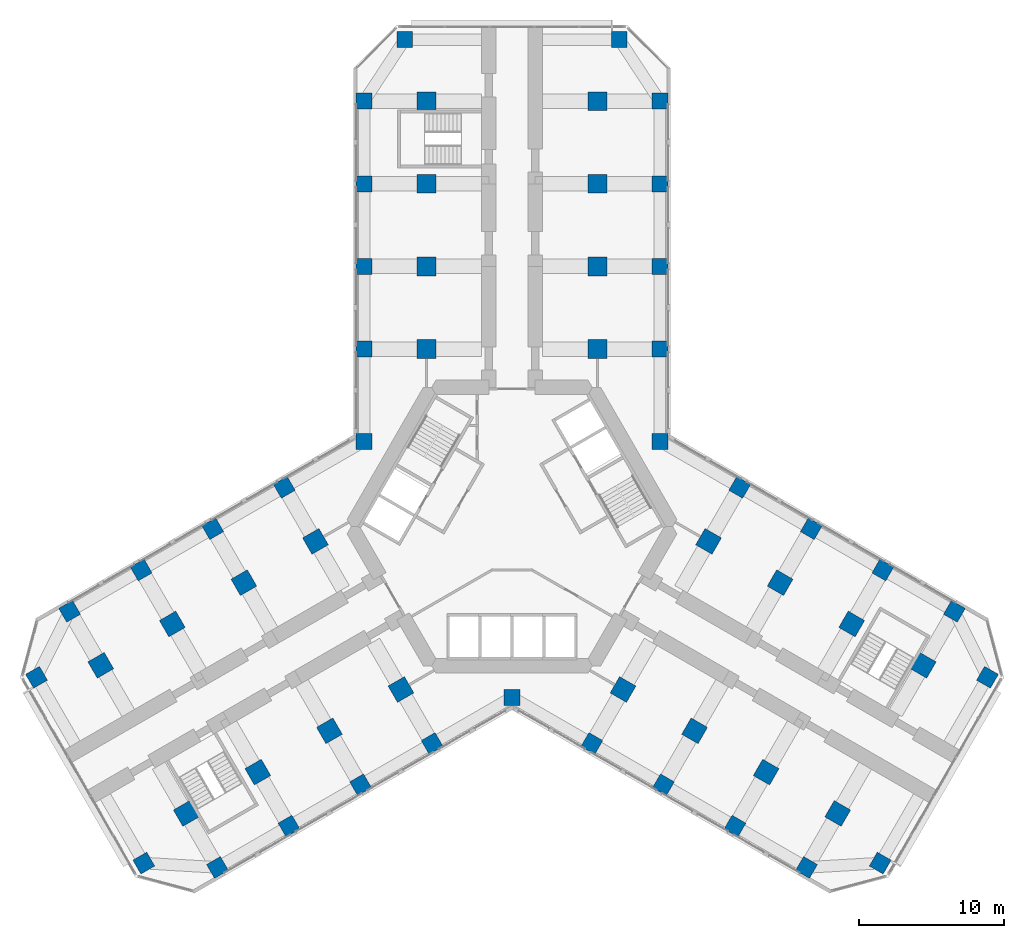
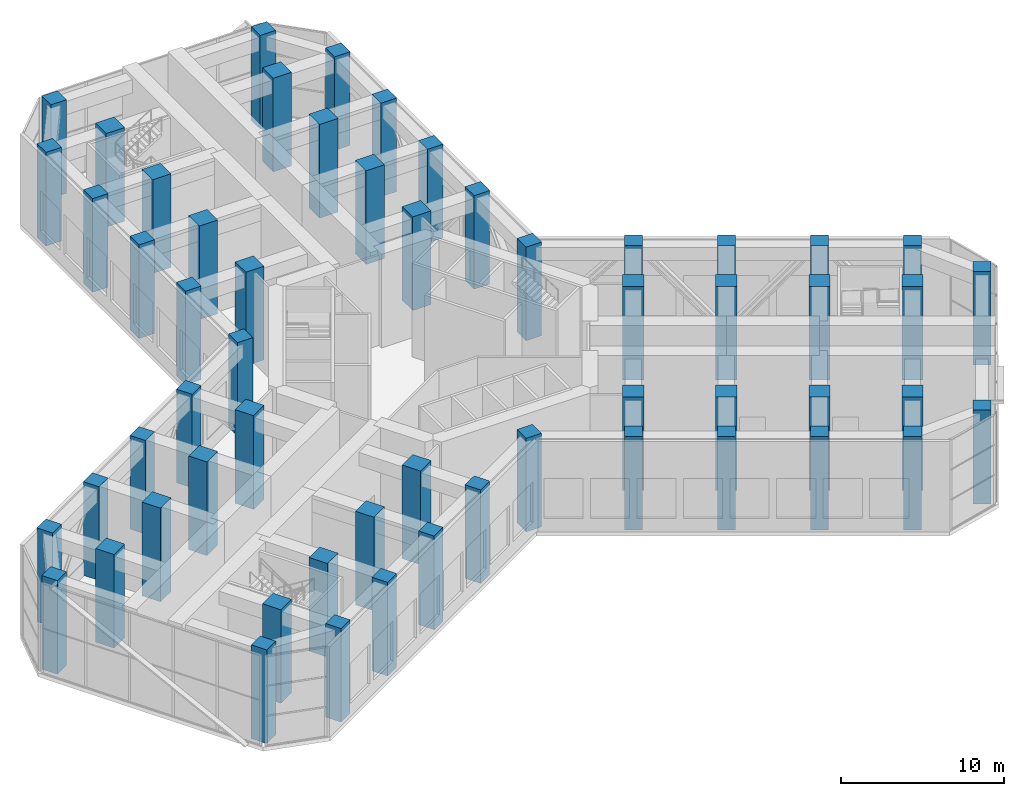
# One storey, part 1 of 17: 57 columns.
"""IFC4 building model written with IfcOpenShell, lengths in metres."""

import ifcopenshell
import ifcopenshell.guid

model = None  # the IFC model being written
_history = None  # IfcOwnerHistory: only IFC2X3 demands one
_inside = {}  # id of a spatial element -> (the spatial element, [elements in it])
_under = {}  # id of a project, library or spatial element -> (it, [spatial elements below it])
_declared = {}  # id of a project -> (the project, [libraries it declares])
_typed = {}  # id of a type object -> (the type object, [elements of that type])
_made_of = {}  # id of a material, layer set ... -> (it, [elements and type objects made of it])


def new_model(schema):
    """Start an empty IFC model of exactly this schema.

    Asked for "IFC4X3", IfcOpenShell would pick the latest addendum, in which some entities
    have other attributes; the version numbers below select the first issue.
    IFC2X3 requires an IfcOwnerHistory on every rooted entity: one is made here for all.
    """
    global model, _history
    if schema == "IFC4X3":
        model = ifcopenshell.file(schema_version=(4, 3, 0, 0))
    else:
        model = ifcopenshell.file(schema=schema)
    _inside.clear()
    _under.clear()
    _declared.clear()
    _typed.clear()
    _made_of.clear()
    _history = None
    if model.schema == "IFC2X3":
        org = make("IfcOrganization", Name="unknown")
        user = make(
            "IfcPersonAndOrganization",
            ThePerson=make("IfcPerson", FamilyName="unknown"),
            TheOrganization=org,
        )
        app = make(
            "IfcApplication",
            ApplicationDeveloper=org,
            Version="unknown",
            ApplicationFullName="unknown",
            ApplicationIdentifier="unknown",
        )
        _history = make(
            "IfcOwnerHistory",
            OwningUser=user,
            OwningApplication=app,
            ChangeAction="ADDED",
            CreationDate=0,
        )
    return model


def make(cls, **values):
    """One entity of the class cls with the attributes given. An attribute that is None is left unset."""
    return model.create_entity(
        cls, **{name: value for name, value in values.items() if value is not None}
    )


def rooted(cls, **values):
    """An entity with a GlobalId (a new one), such as an element, a storey or a relation."""
    return make(cls, GlobalId=ifcopenshell.guid.new(), OwnerHistory=_history, **values)


def si_unit(unit_type, name, prefix=None):
    """IfcSIUnit, for example si_unit("LENGTHUNIT", "METRE", prefix="MILLI")."""
    return make("IfcSIUnit", UnitType=unit_type, Prefix=prefix, Name=name)


def assignment(units):
    """IfcUnitAssignment: the units of a project."""
    return None if units is None else make("IfcUnitAssignment", Units=units)


def point(xyz):
    """IfcCartesianPoint."""
    return None if xyz is None else make("IfcCartesianPoint", Coordinates=xyz)


def direction(xyz):
    """IfcDirection."""
    return None if xyz is None else make("IfcDirection", DirectionRatios=xyz)


def frame(location, z_axis=None, x_axis=None):
    """IfcAxis2Placement3D, a coordinate frame: its origin and axes. An axis left out is left unset."""
    return make(
        "IfcAxis2Placement3D",
        Location=point(location),
        Axis=direction(z_axis),
        RefDirection=direction(x_axis),
    )


def frame_2d(location, x_axis=None):
    """IfcAxis2Placement2D, a coordinate frame in the plane: its origin and x axis."""
    return make(
        "IfcAxis2Placement2D", Location=point(location), RefDirection=direction(x_axis)
    )


def origin():
    """The frame at (0, 0, 0) with its axes left unset."""
    return frame((0.0, 0.0, 0.0))


def origin_2d():
    """The frame at (0, 0) in the plane with its x axis left unset."""
    return frame_2d((0.0, 0.0))


def place(relative_to, where):
    """IfcLocalPlacement: puts the frame where relative to a parent placement (None: the world)."""
    return make(
        "IfcLocalPlacement", PlacementRelTo=relative_to, RelativePlacement=where
    )


def context(
    kind, dimensions, precision=None, world=None, true_north=None, identifier=None
):
    """IfcGeometricRepresentationContext, for example the 3D "Model" context."""
    return make(
        "IfcGeometricRepresentationContext",
        ContextIdentifier=identifier,
        ContextType=kind,
        CoordinateSpaceDimension=dimensions,
        Precision=precision,
        WorldCoordinateSystem=world,
        TrueNorth=true_north,
    )


def subcontext(parent, identifier, kind, view, scale=None):
    """IfcGeometricRepresentationSubContext, for example "Body" below "Model"."""
    return make(
        "IfcGeometricRepresentationSubContext",
        ContextIdentifier=identifier,
        ContextType=kind,
        ParentContext=parent,
        TargetScale=scale,
        TargetView=view,
    )


def project(units=None, contexts=None):
    """IfcProject with its units and contexts."""
    return rooted(
        "IfcProject",
        Name="project",
        RepresentationContexts=contexts,
        UnitsInContext=assignment(units),
    )


def spatial(cls, under=None, at=None, **own):
    """A site, building, storey or space (cls), placed at a placement, below another one or the project."""
    s = rooted(cls, ObjectPlacement=at, **own)
    if under is not None:
        _under.setdefault(under.id(), (under, []))[1].append(s)
    return s


def profile(cls, at=None, kind="AREA", **sizes):
    """A parametric profile (cls). Its sizes go by their IFC names, for example OverallWidth=200.0."""
    return make(cls, ProfileType=kind, Position=at, **sizes)


def rectangle(**sizes):
    """IfcRectangleProfileDef."""
    return profile("IfcRectangleProfileDef", **sizes)


def extrude(swept, where, along, depth):
    """IfcExtrudedAreaSolid: the profile swept, set in the frame where, extruded along a direction by depth."""
    return make(
        "IfcExtrudedAreaSolid",
        SweptArea=swept,
        Position=where,
        ExtrudedDirection=direction(along),
        Depth=depth,
    )


def shape(context_of_items, identifier, shape_type, items):
    """IfcShapeRepresentation: the items that make up one representation, for example the "Body"."""
    return make(
        "IfcShapeRepresentation",
        ContextOfItems=context_of_items,
        RepresentationIdentifier=identifier,
        RepresentationType=shape_type,
        Items=items,
    )


def material(Name=None, Category=None):
    """IfcMaterial."""
    return make("IfcMaterial", Name=Name, Category=Category)


def material_profile(
    of_material, cross_section, Name=None, Category=None, Priority=None
):
    """IfcMaterialProfile: a cross section and its material."""
    return make(
        "IfcMaterialProfile",
        Name=Name,
        Material=of_material,
        Profile=cross_section,
        Priority=Priority,
        Category=Category,
    )


def profile_set(profiles, Name=None, composite=None):
    """IfcMaterialProfileSet."""
    return make(
        "IfcMaterialProfileSet",
        Name=Name,
        MaterialProfiles=profiles,
        CompositeProfile=composite,
    )


def made_of(thing, what):
    """Note that an element or type object is made of a material, layer set ...; save() writes the relation."""
    if what is not None:
        _made_of.setdefault(what.id(), (what, []))[1].append(thing)
    return thing


def type_object(cls, material=None, **own):
    """A type object (cls), such as IfcWallType, which elements share."""
    return made_of(rooted(cls, **own), material)


def element(
    cls,
    number,
    at=None,
    inside=None,
    cuts=None,
    type_object=None,
    material=None,
    context=None,
    identifier="Body",
    shape_type=None,
    held_by="IfcProductDefinitionShape",
    body=None,
    shapes=None,
    **own,
):
    """One element of the class cls, such as IfcWall. Its Tag is "e" and its number.

    at: its placement. inside: the storey or other place that contains it. cuts: it is an
    opening in that element (IfcRelVoidsElement). A single representation is given by context,
    identifier, shape_type and body (its items); several are given by shapes. held_by: the class
    of the entity that holds the representations. save() writes the other relations.
    """
    e = rooted(cls, Tag="e%d" % number, ObjectPlacement=at, **own)
    if body is not None:
        shapes = [shape(context, identifier, shape_type, body)]
    if shapes is not None:
        e.Representation = make(held_by, Representations=shapes)
    if inside is not None:
        _inside.setdefault(inside.id(), (inside, []))[1].append(e)
    if cuts is not None:
        rooted(
            "IfcRelVoidsElement", RelatingBuildingElement=cuts, RelatedOpeningElement=e
        )
    if type_object is not None:
        _typed.setdefault(type_object.id(), (type_object, []))[1].append(e)
    return made_of(e, material)


def aggregate(whole, parts):
    """IfcRelAggregates: a whole, such as a stair, and the parts it consists of."""
    return rooted("IfcRelAggregates", RelatingObject=whole, RelatedObjects=parts)


def save(model, path):
    """Write the relations noted so far, then the file.

    IfcRelAggregates (storeys below a building ...), IfcRelContainedInSpatialStructure (elements
    in a storey), IfcRelDefinesByType, IfcRelAssociatesMaterial and IfcRelDeclares: one each for
    every whole, place, type object, material and project.
    """
    for whole, parts in _under.values():
        aggregate(whole, parts)
    for where, things in _inside.values():
        rooted(
            "IfcRelContainedInSpatialStructure",
            RelatedElements=things,
            RelatingStructure=where,
        )
    for kind, things in _typed.values():
        rooted("IfcRelDefinesByType", RelatedObjects=things, RelatingType=kind)
    for what, things in _made_of.values():
        rooted("IfcRelAssociatesMaterial", RelatedObjects=things, RelatingMaterial=what)
    for by, libraries in _declared.values():
        rooted("IfcRelDeclares", RelatingContext=by, RelatedDefinitions=libraries)
    model.write(path)


model = new_model("IFC4")

# Units and contexts
model_context = context("Model", 3, precision=1e-05, world=origin(), true_north=direction((0.0, 1.0)))
body_context = subcontext(model_context, "Body", "Model", "MODEL_VIEW")
ifc_project = project(units=[si_unit("LENGTHUNIT", "METRE"), si_unit("AREAUNIT", "SQUARE_METRE"), si_unit("VOLUMEUNIT", "CUBIC_METRE"), si_unit("PLANEANGLEUNIT", "RADIAN"), si_unit("MASSUNIT", "GRAM", prefix="KILO")], contexts=[model_context])

# Site, building, storey
site_placement = place(None, origin())
site = spatial("IfcSite", under=ifc_project, at=site_placement, CompositionType="ELEMENT")
building_placement = place(site_placement, origin())
building = spatial("IfcBuilding", under=site, at=building_placement, Name="Kosmar Iwan School Tower", CompositionType="ELEMENT")
storey_placement = place(building_placement, frame((0.0, 0.0, 32.39990234375)))
storey = spatial("IfcBuildingStorey", under=building, at=storey_placement, Name="L07", CompositionType="ELEMENT", Elevation=32.39990234375)

# Columns
ifc_material_1 = material(Name="Concrete C50/60", Category="concrete")
ifc_material_profile_1 = material_profile(ifc_material_1, rectangle(XDim=1.10009765625, YDim=1.10009765625, at=origin_2d()), Name="RC 1100x1100 + HD 400x744")
ifc_profile_set_1 = profile_set([ifc_material_profile_1], Name="Concrete C50/60")
column_type_1 = type_object("IfcColumnType", Name="Composite column 1100x1100 HD 400x744", PredefinedType="COLUMN", material=ifc_profile_set_1)
for number, where, z_axis, x_axis, name in (
    (1, (-10.199951171875, 12.25, 0.0), (0.0, 0.0, 1.0), (0.0, 1.0, 0.0), "Column AL1 L07"),
    (2, (-10.199951171875, 17.949951171875, 0.0), (0.0, 0.0, 1.0), (0.0, 1.0, 0.0), "Column AL2 L07"),
    (3, (-10.199951171875, 23.64990234375, 0.0), (0.0, 0.0, 1.0), (0.0, 1.0, 0.0), "Column AL3 L07"),
    (4, (-10.199951171875, 29.35009765625, 0.0), (0.0, 0.0, 1.0), (0.0, 1.0, 0.0), "Column AL4 L07"),
    (5, (-7.39990234375, 33.60009765625, 0.0), (0.0, 0.0, 1.0), (0.0, 1.0, 0.0), "Column ALTIP L07"),
    (6, (10.199951171875, 12.25, 0.0), (0.0, 0.0, 1.0), (0.0, 1.0, 0.0), "Column AR1 L07"),
    (7, (10.199951171875, 17.949951171875, 0.0), (0.0, 0.0, 1.0), (0.0, 1.0, 0.0), "Column AR2 L07"),
    (8, (10.199951171875, 23.64990234375, 0.0), (0.0, 0.0, 1.0), (0.0, 1.0, 0.0), "Column AR3 L07"),
    (9, (10.199951171875, 29.35009765625, 0.0), (0.0, 0.0, 1.0), (0.0, 1.0, 0.0), "Column AR4 L07"),
    (10, (7.39990234375, 33.60009765625, 0.0), (0.0, 0.0, 1.0), (0.0, 1.0, 0.0), "Column ARTIP L07"),
    (11, (-5.5087890625, -14.95849609375, 0.0), (0.0, 0.0, 1.0), (-0.866025403784, -0.5, 0.0), "Column BL1 L07"),
    (12, (-10.445068359375, -17.808349609375, 0.0), (0.0, 0.0, 1.0), (-0.866025403784, -0.5, 0.0), "Column BL2 L07"),
    (13, (-15.381591796875, -20.658447265625, 0.0), (0.0, 0.0, 1.0), (-0.866025403784, -0.5, 0.0), "Column BL3 L07"),
    (14, (-20.31787109375, -23.508544921875, 0.0), (0.0, 0.0, 1.0), (-0.866025403784, -0.5, 0.0), "Column BL4 L07"),
    (15, (-25.3984375, -23.20849609375, 0.0), (0.0, 0.0, 1.0), (-0.866025403784, -0.5, 0.0), "Column BLTIP L07"),
    (16, (-15.708740234375, 2.70849609375, 0.0), (0.0, 0.0, 1.0), (-0.866025403784, -0.5, 0.0), "Column BR1 L07"),
    (17, (-20.645263671875, -0.1416015625, 0.0), (0.0, 0.0, 1.0), (-0.866025403784, -0.5, 0.0), "Column BR2 L07"),
    (18, (-25.58154296875, -2.991455078125, 0.0), (0.0, 0.0, 1.0), (-0.866025403784, -0.5, 0.0), "Column BR3 L07"),
    (19, (-30.517822265625, -5.841552734375, 0.0), (0.0, 0.0, 1.0), (-0.866025403784, -0.5, 0.0), "Column BR4 L07"),
    (20, (-32.79833984375, -10.391357421875, 0.0), (0.0, 0.0, 1.0), (-0.866025403784, -0.5, 0.0), "Column BRTIP L07"),
    (21, (15.708740234375, 2.70849609375, 0.0), (0.0, 0.0, 1.0), (0.866025403784, -0.5, 0.0), "Column CL1 L07"),
    (22, (20.645263671875, -0.1416015625, 0.0), (0.0, 0.0, 1.0), (0.866025403784, -0.5, 0.0), "Column CL2 L07"),
    (23, (25.58154296875, -2.991455078125, 0.0), (0.0, 0.0, 1.0), (0.866025403784, -0.5, 0.0), "Column CL3 L07"),
    (24, (30.517822265625, -5.841552734375, 0.0), (0.0, 0.0, 1.0), (0.866025403784, -0.5, 0.0), "Column CL4 L07"),
    (25, (32.79833984375, -10.391357421875, 0.0), (0.0, 0.0, 1.0), (0.866025403784, -0.5, 0.0), "Column CLTIP L07"),
    (26, (5.5087890625, -14.95849609375, 0.0), (0.0, 0.0, 1.0), (0.866025403784, -0.5, 0.0), "Column CR1 L07"),
    (27, (10.445068359375, -17.808349609375, 0.0), (0.0, 0.0, 1.0), (0.866025403784, -0.5, 0.0), "Column CR2 L07"),
    (28, (15.381591796875, -20.658447265625, 0.0), (0.0, 0.0, 1.0), (0.866025403784, -0.5, 0.0), "Column CR3 L07"),
    (29, (20.31787109375, -23.508544921875, 0.0), (0.0, 0.0, 1.0), (0.866025403784, -0.5, 0.0), "Column CR4 L07"),
    (30, (25.3984375, -23.20849609375, 0.0), (0.0, 0.0, 1.0), (0.866025403784, -0.5, 0.0), "Column CRTIP L07"),
    (31, (-10.199951171875, 5.888916015625, 0.0), (0.0, 0.0, 1.0), (1.0, 0.0, 0.0), "Column RAB L07"),
    (32, (10.199951171875, 5.888916015625, 0.0), (0.0, 0.0, 1.0), (1.0, 0.0, 0.0), "Column RAC L07"),
    (33, (0.0, -11.77783203125, 0.0), (0.0, 0.0, 1.0), (1.0, 0.0, 0.0), "Column RBC L07"),
):
    element("IfcColumn", number, at=place(storey_placement, frame(where, z_axis=z_axis, x_axis=x_axis)), inside=storey, type_object=column_type_1, Name=name, PredefinedType="COLUMN", context=body_context, shape_type="SweptSolid", body=[
        extrude(rectangle(XDim=1.10009765625, YDim=1.10009765625, at=origin_2d()), origin(), (0.0, 0.0, 1.0), 7.0),
    ])
ifc_material_2 = material(Name="Concrete C50/60", Category="concrete")
ifc_material_profile_2 = material_profile(ifc_material_2, rectangle(XDim=1.300048828125, YDim=1.300048828125, at=origin_2d()), Name="RC 1300x1300")
ifc_profile_set_2 = profile_set([ifc_material_profile_2], Name="Concrete C50/60")
column_type_2 = type_object("IfcColumnType", Name="RC interior column 1300x1300", PredefinedType="COLUMN", material=ifc_profile_set_2)
for number, where, z_axis, x_axis, name in (
    (34, (-5.89990234375, 12.25, 0.0), (0.0, 0.0, 1.0), (0.0, 1.0, 0.0), "Interior column ALI1 L07"),
    (35, (-5.89990234375, 17.949951171875, 0.0), (0.0, 0.0, 1.0), (0.0, 1.0, 0.0), "Interior column ALI2 L07"),
    (36, (-5.89990234375, 23.64990234375, 0.0), (0.0, 0.0, 1.0), (0.0, 1.0, 0.0), "Interior column ALI3 L07"),
    (37, (-5.89990234375, 29.35009765625, 0.0), (0.0, 0.0, 1.0), (0.0, 1.0, 0.0), "Interior column ALI4 L07"),
    (38, (5.89990234375, 12.25, 0.0), (0.0, 0.0, 1.0), (0.0, 1.0, 0.0), "Interior column ARI1 L07"),
    (39, (5.89990234375, 17.949951171875, 0.0), (0.0, 0.0, 1.0), (0.0, 1.0, 0.0), "Interior column ARI2 L07"),
    (40, (5.89990234375, 23.64990234375, 0.0), (0.0, 0.0, 1.0), (0.0, 1.0, 0.0), "Interior column ARI3 L07"),
    (41, (5.89990234375, 29.35009765625, 0.0), (0.0, 0.0, 1.0), (0.0, 1.0, 0.0), "Interior column ARI4 L07"),
    (42, (-7.65869140625, -11.234619140625, 0.0), (0.0, 0.0, 1.0), (-0.866025403784, -0.5, 0.0), "Interior column BLI1 L07"),
    (43, (-12.59521484375, -14.08447265625, 0.0), (0.0, 0.0, 1.0), (-0.866025403784, -0.5, 0.0), "Interior column BLI2 L07"),
    (44, (-17.531494140625, -16.9345703125, 0.0), (0.0, 0.0, 1.0), (-0.866025403784, -0.5, 0.0), "Interior column BLI3 L07"),
    (45, (-22.4677734375, -19.78466796875, 0.0), (0.0, 0.0, 1.0), (-0.866025403784, -0.5, 0.0), "Interior column BLI4 L07"),
    (46, (-13.558837890625, -1.015380859375, 0.0), (0.0, 0.0, 1.0), (-0.866025403784, -0.5, 0.0), "Interior column BRI1 L07"),
    (47, (-18.4951171875, -3.865478515625, 0.0), (0.0, 0.0, 1.0), (-0.866025403784, -0.5, 0.0), "Interior column BRI2 L07"),
    (48, (-23.431396484375, -6.71533203125, 0.0), (0.0, 0.0, 1.0), (-0.866025403784, -0.5, 0.0), "Interior column BRI3 L07"),
    (49, (-28.367919921875, -9.5654296875, 0.0), (0.0, 0.0, 1.0), (-0.866025403784, -0.5, 0.0), "Interior column BRI4 L07"),
    (50, (13.558837890625, -1.015380859375, 0.0), (0.0, 0.0, 1.0), (0.866025403784, -0.5, 0.0), "Interior column CLI1 L07"),
    (51, (18.4951171875, -3.865478515625, 0.0), (0.0, 0.0, 1.0), (0.866025403784, -0.5, 0.0), "Interior column CLI2 L07"),
    (52, (23.431396484375, -6.71533203125, 0.0), (0.0, 0.0, 1.0), (0.866025403784, -0.5, 0.0), "Interior column CLI3 L07"),
    (53, (28.367919921875, -9.5654296875, 0.0), (0.0, 0.0, 1.0), (0.866025403784, -0.5, 0.0), "Interior column CLI4 L07"),
    (54, (7.65869140625, -11.234619140625, 0.0), (0.0, 0.0, 1.0), (0.866025403784, -0.5, 0.0), "Interior column CRI1 L07"),
    (55, (12.59521484375, -14.08447265625, 0.0), (0.0, 0.0, 1.0), (0.866025403784, -0.5, 0.0), "Interior column CRI2 L07"),
    (56, (17.531494140625, -16.9345703125, 0.0), (0.0, 0.0, 1.0), (0.866025403784, -0.5, 0.0), "Interior column CRI3 L07"),
    (57, (22.4677734375, -19.78466796875, 0.0), (0.0, 0.0, 1.0), (0.866025403784, -0.5, 0.0), "Interior column CRI4 L07"),
):
    element("IfcColumn", number, at=place(storey_placement, frame(where, z_axis=z_axis, x_axis=x_axis)), inside=storey, type_object=column_type_2, Name=name, PredefinedType="COLUMN", context=body_context, shape_type="SweptSolid", body=[
        extrude(rectangle(XDim=1.300048828125, YDim=1.300048828125, at=origin_2d()), origin(), (0.0, 0.0, 1.0), 7.0),
    ])

save(model, "model.ifc")
